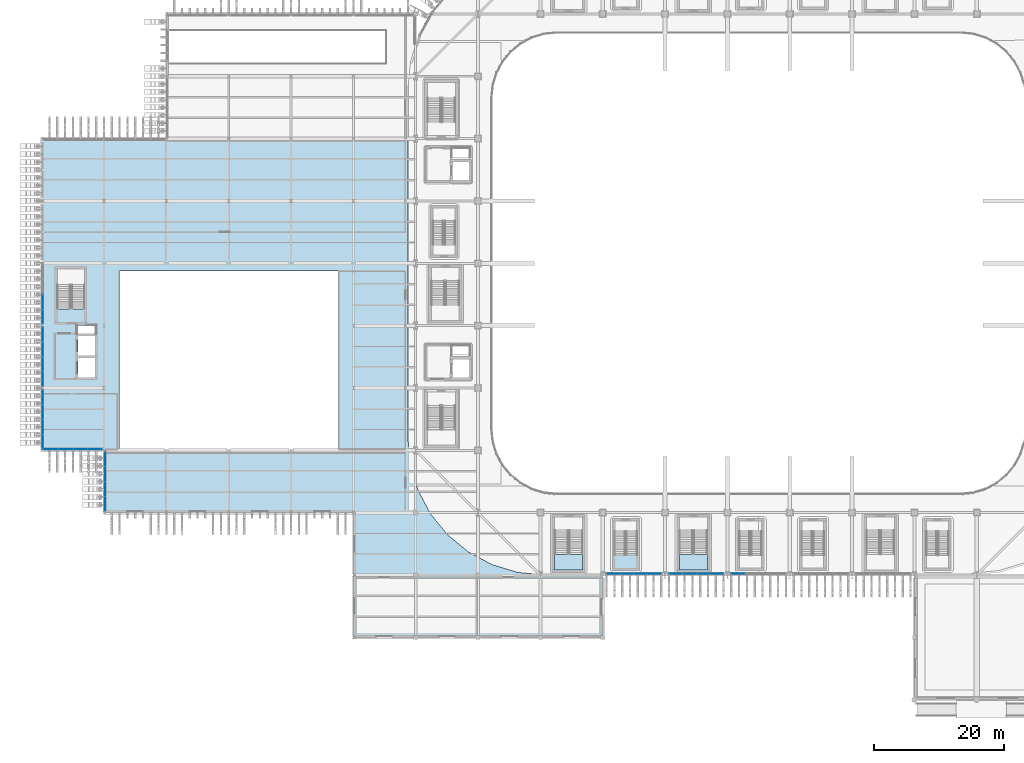
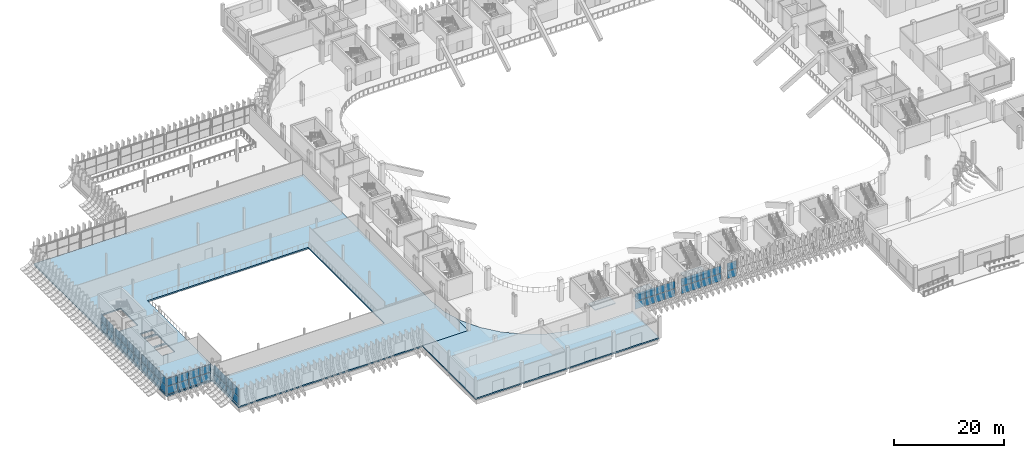
# One storey, part 40 of 100: 54 plates, 5 slabs, 11 elements without a shape of their own.
"""IFC4 building model written with IfcOpenShell, lengths in metres."""

import ifcopenshell
import ifcopenshell.guid

model = None  # the IFC model being written
_history = None  # IfcOwnerHistory: only IFC2X3 demands one
_inside = {}  # id of a spatial element -> (the spatial element, [elements in it])
_under = {}  # id of a project, library or spatial element -> (it, [spatial elements below it])
_declared = {}  # id of a project -> (the project, [libraries it declares])
_typed = {}  # id of a type object -> (the type object, [elements of that type])
_made_of = {}  # id of a material, layer set ... -> (it, [elements and type objects made of it])


def new_model(schema):
    """Start an empty IFC model of exactly this schema.

    Asked for "IFC4X3", IfcOpenShell would pick the latest addendum, in which some entities
    have other attributes; the version numbers below select the first issue.
    IFC2X3 requires an IfcOwnerHistory on every rooted entity: one is made here for all.
    """
    global model, _history
    if schema == "IFC4X3":
        model = ifcopenshell.file(schema_version=(4, 3, 0, 0))
    else:
        model = ifcopenshell.file(schema=schema)
    _inside.clear()
    _under.clear()
    _declared.clear()
    _typed.clear()
    _made_of.clear()
    _history = None
    if model.schema == "IFC2X3":
        org = make("IfcOrganization", Name="unknown")
        user = make(
            "IfcPersonAndOrganization",
            ThePerson=make("IfcPerson", FamilyName="unknown"),
            TheOrganization=org,
        )
        app = make(
            "IfcApplication",
            ApplicationDeveloper=org,
            Version="unknown",
            ApplicationFullName="unknown",
            ApplicationIdentifier="unknown",
        )
        _history = make(
            "IfcOwnerHistory",
            OwningUser=user,
            OwningApplication=app,
            ChangeAction="ADDED",
            CreationDate=0,
        )
    return model


def make(cls, **values):
    """One entity of the class cls with the attributes given. An attribute that is None is left unset."""
    return model.create_entity(
        cls, **{name: value for name, value in values.items() if value is not None}
    )


def rooted(cls, **values):
    """An entity with a GlobalId (a new one), such as an element, a storey or a relation."""
    return make(cls, GlobalId=ifcopenshell.guid.new(), OwnerHistory=_history, **values)


def si_unit(unit_type, name, prefix=None):
    """IfcSIUnit, for example si_unit("LENGTHUNIT", "METRE", prefix="MILLI")."""
    return make("IfcSIUnit", UnitType=unit_type, Prefix=prefix, Name=name)


def assignment(units):
    """IfcUnitAssignment: the units of a project."""
    return None if units is None else make("IfcUnitAssignment", Units=units)


def point(xyz):
    """IfcCartesianPoint."""
    return None if xyz is None else make("IfcCartesianPoint", Coordinates=xyz)


def direction(xyz):
    """IfcDirection."""
    return None if xyz is None else make("IfcDirection", DirectionRatios=xyz)


def frame(location, z_axis=None, x_axis=None):
    """IfcAxis2Placement3D, a coordinate frame: its origin and axes. An axis left out is left unset."""
    return make(
        "IfcAxis2Placement3D",
        Location=point(location),
        Axis=direction(z_axis),
        RefDirection=direction(x_axis),
    )


def frame_2d(location, x_axis=None):
    """IfcAxis2Placement2D, a coordinate frame in the plane: its origin and x axis."""
    return make(
        "IfcAxis2Placement2D", Location=point(location), RefDirection=direction(x_axis)
    )


def origin():
    """The frame at (0, 0, 0) with its axes left unset."""
    return frame((0.0, 0.0, 0.0))


def origin_2d():
    """The frame at (0, 0) in the plane with its x axis left unset."""
    return frame_2d((0.0, 0.0))


def place(relative_to, where):
    """IfcLocalPlacement: puts the frame where relative to a parent placement (None: the world)."""
    return make(
        "IfcLocalPlacement", PlacementRelTo=relative_to, RelativePlacement=where
    )


def context(
    kind, dimensions, precision=None, world=None, true_north=None, identifier=None
):
    """IfcGeometricRepresentationContext, for example the 3D "Model" context."""
    return make(
        "IfcGeometricRepresentationContext",
        ContextIdentifier=identifier,
        ContextType=kind,
        CoordinateSpaceDimension=dimensions,
        Precision=precision,
        WorldCoordinateSystem=world,
        TrueNorth=true_north,
    )


def subcontext(parent, identifier, kind, view, scale=None):
    """IfcGeometricRepresentationSubContext, for example "Body" below "Model"."""
    return make(
        "IfcGeometricRepresentationSubContext",
        ContextIdentifier=identifier,
        ContextType=kind,
        ParentContext=parent,
        TargetScale=scale,
        TargetView=view,
    )


def project(units=None, contexts=None):
    """IfcProject with its units and contexts."""
    return rooted(
        "IfcProject",
        Name="project",
        RepresentationContexts=contexts,
        UnitsInContext=assignment(units),
    )


def spatial(cls, under=None, at=None, **own):
    """A site, building, storey or space (cls), placed at a placement, below another one or the project."""
    s = rooted(cls, ObjectPlacement=at, **own)
    if under is not None:
        _under.setdefault(under.id(), (under, []))[1].append(s)
    return s


def polyline(points):
    """IfcPolyline through the points."""
    return make("IfcPolyline", Points=[point(p) for p in points])


def profile(cls, at=None, kind="AREA", **sizes):
    """A parametric profile (cls). Its sizes go by their IFC names, for example OverallWidth=200.0."""
    return make(cls, ProfileType=kind, Position=at, **sizes)


def rectangle(**sizes):
    """IfcRectangleProfileDef."""
    return profile("IfcRectangleProfileDef", **sizes)


def outline(outer, holes=None, kind="AREA"):
    """IfcArbitraryClosedProfileDef: a profile drawn as a closed curve; with holes, ...WithVoids."""
    if holes is None:
        return make("IfcArbitraryClosedProfileDef", ProfileType=kind, OuterCurve=outer)
    return make(
        "IfcArbitraryProfileDefWithVoids",
        ProfileType=kind,
        OuterCurve=outer,
        InnerCurves=holes,
    )


def extrude(swept, where, along, depth):
    """IfcExtrudedAreaSolid: the profile swept, set in the frame where, extruded along a direction by depth."""
    return make(
        "IfcExtrudedAreaSolid",
        SweptArea=swept,
        Position=where,
        ExtrudedDirection=direction(along),
        Depth=depth,
    )


def shape(context_of_items, identifier, shape_type, items):
    """IfcShapeRepresentation: the items that make up one representation, for example the "Body"."""
    return make(
        "IfcShapeRepresentation",
        ContextOfItems=context_of_items,
        RepresentationIdentifier=identifier,
        RepresentationType=shape_type,
        Items=items,
    )


def material(Name=None, Category=None):
    """IfcMaterial."""
    return make("IfcMaterial", Name=Name, Category=Category)


def layer(
    of_material, thickness, ventilated=None, Name=None, Category=None, Priority=None
):
    """IfcMaterialLayer: one layer of a wall or slab, of a material (None: an air gap)."""
    return make(
        "IfcMaterialLayer",
        Material=of_material,
        LayerThickness=thickness,
        IsVentilated=ventilated,
        Name=Name,
        Category=Category,
        Priority=Priority,
    )


def layer_set(layers, Name=None):
    """IfcMaterialLayerSet."""
    return make("IfcMaterialLayerSet", MaterialLayers=layers, LayerSetName=Name)


def made_of(thing, what):
    """Note that an element or type object is made of a material, layer set ...; save() writes the relation."""
    if what is not None:
        _made_of.setdefault(what.id(), (what, []))[1].append(thing)
    return thing


def type_object(cls, material=None, **own):
    """A type object (cls), such as IfcWallType, which elements share."""
    return made_of(rooted(cls, **own), material)


def element(
    cls,
    number,
    at=None,
    inside=None,
    cuts=None,
    type_object=None,
    material=None,
    context=None,
    identifier="Body",
    shape_type=None,
    held_by="IfcProductDefinitionShape",
    body=None,
    shapes=None,
    **own,
):
    """One element of the class cls, such as IfcWall. Its Tag is "e" and its number.

    at: its placement. inside: the storey or other place that contains it. cuts: it is an
    opening in that element (IfcRelVoidsElement). A single representation is given by context,
    identifier, shape_type and body (its items); several are given by shapes. held_by: the class
    of the entity that holds the representations. save() writes the other relations.
    """
    e = rooted(cls, Tag="e%d" % number, ObjectPlacement=at, **own)
    if body is not None:
        shapes = [shape(context, identifier, shape_type, body)]
    if shapes is not None:
        e.Representation = make(held_by, Representations=shapes)
    if inside is not None:
        _inside.setdefault(inside.id(), (inside, []))[1].append(e)
    if cuts is not None:
        rooted(
            "IfcRelVoidsElement", RelatingBuildingElement=cuts, RelatedOpeningElement=e
        )
    if type_object is not None:
        _typed.setdefault(type_object.id(), (type_object, []))[1].append(e)
    return made_of(e, material)


def aggregate(whole, parts):
    """IfcRelAggregates: a whole, such as a stair, and the parts it consists of."""
    return rooted("IfcRelAggregates", RelatingObject=whole, RelatedObjects=parts)


def save(model, path):
    """Write the relations noted so far, then the file.

    IfcRelAggregates (storeys below a building ...), IfcRelContainedInSpatialStructure (elements
    in a storey), IfcRelDefinesByType, IfcRelAssociatesMaterial and IfcRelDeclares: one each for
    every whole, place, type object, material and project.
    """
    for whole, parts in _under.values():
        aggregate(whole, parts)
    for where, things in _inside.values():
        rooted(
            "IfcRelContainedInSpatialStructure",
            RelatedElements=things,
            RelatingStructure=where,
        )
    for kind, things in _typed.values():
        rooted("IfcRelDefinesByType", RelatedObjects=things, RelatingType=kind)
    for what, things in _made_of.values():
        rooted("IfcRelAssociatesMaterial", RelatedObjects=things, RelatingMaterial=what)
    for by, libraries in _declared.values():
        rooted("IfcRelDeclares", RelatingContext=by, RelatedDefinitions=libraries)
    model.write(path)


model = new_model("IFC4")

# Units and contexts
model_context = context("Model", 3, precision=1e-05, world=origin(), true_north=direction((0.0, 1.0)))
body_context = subcontext(model_context, "Body", "Model", "MODEL_VIEW")
ifc_project = project(units=[si_unit("LENGTHUNIT", "METRE"), si_unit("AREAUNIT", "SQUARE_METRE"), si_unit("VOLUMEUNIT", "CUBIC_METRE"), si_unit("PLANEANGLEUNIT", "RADIAN"), si_unit("MASSUNIT", "GRAM", prefix="KILO")], contexts=[model_context])

# Site, building, storey
site_placement = place(None, origin())
site = spatial("IfcSite", under=ifc_project, at=site_placement, CompositionType="ELEMENT")
building_placement = place(site_placement, origin())
building = spatial("IfcBuilding", under=site, at=building_placement, Name="Caelomonte Colonnade Arena", CompositionType="ELEMENT")
storey_placement = place(building_placement, origin())
storey = spatial("IfcBuildingStorey", under=building, at=storey_placement, Name="L00", CompositionType="ELEMENT", Elevation=0.0)

# Curtain wall, plates
ifc_material_1 = material(Name="Bronze anodised aluminium and low-E glazing", Category="aluminium")
ifc_layer_1 = layer(ifc_material_1, 0.179931640625)
ifc_layer_set_1 = layer_set([ifc_layer_1], Name="Bronze anodised aluminium and low-E glazing")
curtain_wall_type_1 = type_object("IfcCurtainWallType", Name="ENV-CW-CW-L00-96-36", PredefinedType="USERDEFINED", material=ifc_layer_set_1)
curtain_wall_1_placement = place(storey_placement, origin())
curtain_wall_1 = element("IfcCurtainWall", 1, at=curtain_wall_1_placement, inside=storey, type_object=curtain_wall_type_1, Name="L00 unitized curtain wall CW-L00-0912-0194", ObjectType="UNITIZED CURTAIN WALL", PredefinedType="USERDEFINED")
ifc_material_2 = material(Name="Solar-control bronze low-E double glazing", Category="glass")
ifc_layer_2 = layer(ifc_material_2, 0.028076171875)
ifc_layer_set_2 = layer_set([ifc_layer_2], Name="Solar-control bronze low-E double glazing")
plate_type = type_object("IfcPlateType", Name="ENV-CW-PAN28", PredefinedType="CURTAIN_PANEL", material=ifc_layer_set_2)
plate_1_placement = place(storey_placement, frame((88.02294921875, 19.3798828125, 0.06982421875), z_axis=(0.0, 0.0, 1.0), x_axis=(1.0, 0.0, 0.0)))
plate_1 = element("IfcPlate", 2, at=plate_1_placement, type_object=plate_type, Name="CW-L00-96-36 panel 1.1", PredefinedType="CURTAIN_PANEL", context=body_context, shape_type="SweptSolid", body=[
    extrude(rectangle(XDim=2.024658203125, YDim=0.028076171875, at=origin_2d()), origin(), (0.0, 0.0, 1.0), 1.681396484375),
])
plate_2_placement = place(storey_placement, frame((88.02294921875, 19.3798828125, 1.82177734375), z_axis=(0.0, 0.0, 1.0), x_axis=(1.0, 0.0, 0.0)))
plate_2 = element("IfcPlate", 3, at=plate_2_placement, type_object=plate_type, Name="CW-L00-96-36 panel 1.2", PredefinedType="CURTAIN_PANEL", context=body_context, shape_type="SweptSolid", body=[
    extrude(rectangle(XDim=2.024658203125, YDim=0.028076171875, at=origin_2d()), origin(), (0.0, 0.0, 1.0), 1.681396484375),
])
plate_3_placement = place(storey_placement, frame((90.13525390625, 19.3798828125, 0.06982421875), z_axis=(0.0, 0.0, 1.0), x_axis=(1.0, 0.0, 0.0)))
plate_3 = element("IfcPlate", 4, at=plate_3_placement, type_object=plate_type, Name="CW-L00-96-36 panel 2.1", PredefinedType="CURTAIN_PANEL", context=body_context, shape_type="SweptSolid", body=[
    extrude(rectangle(XDim=2.0595703125, YDim=0.028076171875, at=origin_2d()), origin(), (0.0, 0.0, 1.0), 1.681396484375),
])
plate_4_placement = place(storey_placement, frame((90.13525390625, 19.3798828125, 1.82177734375), z_axis=(0.0, 0.0, 1.0), x_axis=(1.0, 0.0, 0.0)))
plate_4 = element("IfcPlate", 5, at=plate_4_placement, type_object=plate_type, Name="CW-L00-96-36 panel 2.2", PredefinedType="CURTAIN_PANEL", context=body_context, shape_type="SweptSolid", body=[
    extrude(rectangle(XDim=2.0595703125, YDim=0.028076171875, at=origin_2d()), origin(), (0.0, 0.0, 1.0), 1.681396484375),
])
plate_5_placement = place(storey_placement, frame((92.264892578125, 19.3798828125, 0.06982421875), z_axis=(0.0, 0.0, 1.0), x_axis=(1.0, 0.0, 0.0)))
plate_5 = element("IfcPlate", 6, at=plate_5_placement, type_object=plate_type, Name="CW-L00-96-36 panel 3.1", PredefinedType="CURTAIN_PANEL", context=body_context, shape_type="SweptSolid", body=[
    extrude(rectangle(XDim=2.0595703125, YDim=0.028076171875, at=origin_2d()), origin(), (0.0, 0.0, 1.0), 1.681396484375),
])
plate_6_placement = place(storey_placement, frame((92.264892578125, 19.3798828125, 1.82177734375), z_axis=(0.0, 0.0, 1.0), x_axis=(1.0, 0.0, 0.0)))
plate_6 = element("IfcPlate", 7, at=plate_6_placement, type_object=plate_type, Name="CW-L00-96-36 panel 3.2", PredefinedType="CURTAIN_PANEL", context=body_context, shape_type="SweptSolid", body=[
    extrude(rectangle(XDim=2.0595703125, YDim=0.028076171875, at=origin_2d()), origin(), (0.0, 0.0, 1.0), 1.681396484375),
])
plate_7_placement = place(storey_placement, frame((94.376953125, 19.3798828125, 0.06982421875), z_axis=(0.0, 0.0, 1.0), x_axis=(1.0, 0.0, 0.0)))
plate_7 = element("IfcPlate", 8, at=plate_7_placement, type_object=plate_type, Name="CW-L00-96-36 panel 4.1", PredefinedType="CURTAIN_PANEL", context=body_context, shape_type="SweptSolid", body=[
    extrude(rectangle(XDim=2.024658203125, YDim=0.028076171875, at=origin_2d()), origin(), (0.0, 0.0, 1.0), 1.681396484375),
])
plate_8_placement = place(storey_placement, frame((94.376953125, 19.3798828125, 1.82177734375), z_axis=(0.0, 0.0, 1.0), x_axis=(1.0, 0.0, 0.0)))
plate_8 = element("IfcPlate", 9, at=plate_8_placement, type_object=plate_type, Name="CW-L00-96-36 panel 4.2", PredefinedType="CURTAIN_PANEL", context=body_context, shape_type="SweptSolid", body=[
    extrude(rectangle(XDim=2.024658203125, YDim=0.028076171875, at=origin_2d()), origin(), (0.0, 0.0, 1.0), 1.681396484375),
])
aggregate(curtain_wall_1, [plate_1, plate_2, plate_3, plate_4, plate_5, plate_6, plate_7, plate_8])

curtain_wall_2_placement = place(storey_placement, origin())
curtain_wall_2 = element("IfcCurtainWall", 10, at=curtain_wall_2_placement, inside=storey, type_object=curtain_wall_type_1, Name="L00 unitized curtain wall CW-L00-1008-0194", ObjectType="UNITIZED CURTAIN WALL", PredefinedType="USERDEFINED")
plate_9_placement = place(storey_placement, frame((97.623046875, 19.3798828125, 0.06982421875), z_axis=(0.0, 0.0, 1.0), x_axis=(1.0, 0.0, 0.0)))
plate_9 = element("IfcPlate", 11, at=plate_9_placement, type_object=plate_type, Name="CW-L00-96-36 panel 1.1", PredefinedType="CURTAIN_PANEL", context=body_context, shape_type="SweptSolid", body=[
    extrude(rectangle(XDim=2.024658203125, YDim=0.028076171875, at=origin_2d()), origin(), (0.0, 0.0, 1.0), 1.681396484375),
])
plate_10_placement = place(storey_placement, frame((97.623046875, 19.3798828125, 1.82177734375), z_axis=(0.0, 0.0, 1.0), x_axis=(1.0, 0.0, 0.0)))
plate_10 = element("IfcPlate", 12, at=plate_10_placement, type_object=plate_type, Name="CW-L00-96-36 panel 1.2", PredefinedType="CURTAIN_PANEL", context=body_context, shape_type="SweptSolid", body=[
    extrude(rectangle(XDim=2.024658203125, YDim=0.028076171875, at=origin_2d()), origin(), (0.0, 0.0, 1.0), 1.681396484375),
])
plate_11_placement = place(storey_placement, frame((99.735107421875, 19.3798828125, 0.06982421875), z_axis=(0.0, 0.0, 1.0), x_axis=(1.0, 0.0, 0.0)))
plate_11 = element("IfcPlate", 13, at=plate_11_placement, type_object=plate_type, Name="CW-L00-96-36 panel 2.1", PredefinedType="CURTAIN_PANEL", context=body_context, shape_type="SweptSolid", body=[
    extrude(rectangle(XDim=2.0595703125, YDim=0.028076171875, at=origin_2d()), origin(), (0.0, 0.0, 1.0), 1.681396484375),
])
plate_12_placement = place(storey_placement, frame((99.735107421875, 19.3798828125, 1.82177734375), z_axis=(0.0, 0.0, 1.0), x_axis=(1.0, 0.0, 0.0)))
plate_12 = element("IfcPlate", 14, at=plate_12_placement, type_object=plate_type, Name="CW-L00-96-36 panel 2.2", PredefinedType="CURTAIN_PANEL", context=body_context, shape_type="SweptSolid", body=[
    extrude(rectangle(XDim=2.0595703125, YDim=0.028076171875, at=origin_2d()), origin(), (0.0, 0.0, 1.0), 1.681396484375),
])
plate_13_placement = place(storey_placement, frame((101.86474609375, 19.3798828125, 0.06982421875), z_axis=(0.0, 0.0, 1.0), x_axis=(1.0, 0.0, 0.0)))
plate_13 = element("IfcPlate", 15, at=plate_13_placement, type_object=plate_type, Name="CW-L00-96-36 panel 3.1", PredefinedType="CURTAIN_PANEL", context=body_context, shape_type="SweptSolid", body=[
    extrude(rectangle(XDim=2.0595703125, YDim=0.028076171875, at=origin_2d()), origin(), (0.0, 0.0, 1.0), 1.681396484375),
])
plate_14_placement = place(storey_placement, frame((101.86474609375, 19.3798828125, 1.82177734375), z_axis=(0.0, 0.0, 1.0), x_axis=(1.0, 0.0, 0.0)))
plate_14 = element("IfcPlate", 16, at=plate_14_placement, type_object=plate_type, Name="CW-L00-96-36 panel 3.2", PredefinedType="CURTAIN_PANEL", context=body_context, shape_type="SweptSolid", body=[
    extrude(rectangle(XDim=2.0595703125, YDim=0.028076171875, at=origin_2d()), origin(), (0.0, 0.0, 1.0), 1.681396484375),
])
plate_15_placement = place(storey_placement, frame((103.97705078125, 19.3798828125, 0.06982421875), z_axis=(0.0, 0.0, 1.0), x_axis=(1.0, 0.0, 0.0)))
plate_15 = element("IfcPlate", 17, at=plate_15_placement, type_object=plate_type, Name="CW-L00-96-36 panel 4.1", PredefinedType="CURTAIN_PANEL", context=body_context, shape_type="SweptSolid", body=[
    extrude(rectangle(XDim=2.024658203125, YDim=0.028076171875, at=origin_2d()), origin(), (0.0, 0.0, 1.0), 1.681396484375),
])
plate_16_placement = place(storey_placement, frame((103.97705078125, 19.3798828125, 1.82177734375), z_axis=(0.0, 0.0, 1.0), x_axis=(1.0, 0.0, 0.0)))
plate_16 = element("IfcPlate", 18, at=plate_16_placement, type_object=plate_type, Name="CW-L00-96-36 panel 4.2", PredefinedType="CURTAIN_PANEL", context=body_context, shape_type="SweptSolid", body=[
    extrude(rectangle(XDim=2.024658203125, YDim=0.028076171875, at=origin_2d()), origin(), (0.0, 0.0, 1.0), 1.681396484375),
])
aggregate(curtain_wall_2, [plate_9, plate_10, plate_11, plate_12, plate_13, plate_14, plate_15, plate_16])

curtain_wall_3_placement = place(storey_placement, origin())
curtain_wall_3 = element("IfcCurtainWall", 19, at=curtain_wall_3_placement, inside=storey, type_object=curtain_wall_type_1, Name="L00 unitized curtain wall CW-L00-1104-0194", ObjectType="UNITIZED CURTAIN WALL", PredefinedType="USERDEFINED")
plate_17_placement = place(storey_placement, frame((107.22314453125, 19.3798828125, 0.06982421875), z_axis=(0.0, 0.0, 1.0), x_axis=(1.0, 0.0, 0.0)))
plate_17 = element("IfcPlate", 20, at=plate_17_placement, type_object=plate_type, Name="CW-L00-96-36 panel 1.1", PredefinedType="CURTAIN_PANEL", context=body_context, shape_type="SweptSolid", body=[
    extrude(rectangle(XDim=2.024658203125, YDim=0.028076171875, at=origin_2d()), origin(), (0.0, 0.0, 1.0), 1.681396484375),
])
plate_18_placement = place(storey_placement, frame((107.22314453125, 19.3798828125, 1.82177734375), z_axis=(0.0, 0.0, 1.0), x_axis=(1.0, 0.0, 0.0)))
plate_18 = element("IfcPlate", 21, at=plate_18_placement, type_object=plate_type, Name="CW-L00-96-36 panel 1.2", PredefinedType="CURTAIN_PANEL", context=body_context, shape_type="SweptSolid", body=[
    extrude(rectangle(XDim=2.024658203125, YDim=0.028076171875, at=origin_2d()), origin(), (0.0, 0.0, 1.0), 1.681396484375),
])
aggregate(curtain_wall_3, [plate_17, plate_18])

curtain_wall_4_placement = place(storey_placement, origin())
curtain_wall_4 = element("IfcCurtainWall", 22, at=curtain_wall_4_placement, inside=storey, type_object=curtain_wall_type_1, Name="L00 unitized curtain wall CW-L00-0002-0624", ObjectType="UNITIZED CURTAIN WALL", PredefinedType="USERDEFINED")
plate_19_placement = place(storey_placement, frame((0.179931640625, 61.26318359375, 0.06494140625), z_axis=(0.0, 0.0, 1.0), x_axis=(0.0, -1.0, 0.0)))
plate_19 = element("IfcPlate", 23, at=plate_19_placement, type_object=plate_type, Name="CW-L00-96-36 panel 3.1", PredefinedType="CURTAIN_PANEL", context=body_context, shape_type="SweptSolid", body=[
    extrude(rectangle(XDim=2.24072265625, YDim=0.028076171875, at=origin_2d()), origin(), (0.0, 0.0, 1.0), 1.68896484375),
])
plate_20_placement = place(storey_placement, frame((0.179931640625, 61.26318359375, 1.819091796875), z_axis=(0.0, 0.0, 1.0), x_axis=(0.0, -1.0, 0.0)))
plate_20 = element("IfcPlate", 24, at=plate_20_placement, type_object=plate_type, Name="CW-L00-96-36 panel 3.2", PredefinedType="CURTAIN_PANEL", context=body_context, shape_type="SweptSolid", body=[
    extrude(rectangle(XDim=2.24072265625, YDim=0.028076171875, at=origin_2d()), origin(), (0.0, 0.0, 1.0), 1.68896484375),
])
plate_21_placement = place(storey_placement, frame((0.179931640625, 58.9736328125, 0.06494140625), z_axis=(0.0, 0.0, 1.0), x_axis=(0.0, -1.0, 0.0)))
plate_21 = element("IfcPlate", 25, at=plate_21_placement, type_object=plate_type, Name="CW-L00-96-36 panel 4.1", PredefinedType="CURTAIN_PANEL", context=body_context, shape_type="SweptSolid", body=[
    extrude(rectangle(XDim=2.208251953125, YDim=0.028076171875, at=origin_2d()), origin(), (0.0, 0.0, 1.0), 1.68896484375),
])
plate_22_placement = place(storey_placement, frame((0.179931640625, 58.9736328125, 1.819091796875), z_axis=(0.0, 0.0, 1.0), x_axis=(0.0, -1.0, 0.0)))
plate_22 = element("IfcPlate", 26, at=plate_22_placement, type_object=plate_type, Name="CW-L00-96-36 panel 4.2", PredefinedType="CURTAIN_PANEL", context=body_context, shape_type="SweptSolid", body=[
    extrude(rectangle(XDim=2.208251953125, YDim=0.028076171875, at=origin_2d()), origin(), (0.0, 0.0, 1.0), 1.68896484375),
])
aggregate(curtain_wall_4, [plate_19, plate_20, plate_21, plate_22])

curtain_wall_5_placement = place(storey_placement, origin())
curtain_wall_5 = element("IfcCurtainWall", 27, at=curtain_wall_5_placement, inside=storey, type_object=curtain_wall_type_1, Name="L00 unitized curtain wall CW-L00-0002-0528", ObjectType="UNITIZED CURTAIN WALL", PredefinedType="USERDEFINED")
plate_23_placement = place(storey_placement, frame((0.179931640625, 56.23046875, 0.06494140625), z_axis=(0.0, 0.0, 1.0), x_axis=(0.0, -1.0, 0.0)))
plate_23 = element("IfcPlate", 28, at=plate_23_placement, type_object=plate_type, Name="CW-L00-96-36 panel 1.1", PredefinedType="CURTAIN_PANEL", context=body_context, shape_type="SweptSolid", body=[
    extrude(rectangle(XDim=2.2001953125, YDim=0.028076171875, at=origin_2d()), origin(), (0.0, 0.0, 1.0), 1.68896484375),
])
plate_24_placement = place(storey_placement, frame((0.179931640625, 56.23046875, 1.819091796875), z_axis=(0.0, 0.0, 1.0), x_axis=(0.0, -1.0, 0.0)))
plate_24 = element("IfcPlate", 29, at=plate_24_placement, type_object=plate_type, Name="CW-L00-96-36 panel 1.2", PredefinedType="CURTAIN_PANEL", context=body_context, shape_type="SweptSolid", body=[
    extrude(rectangle(XDim=2.2001953125, YDim=0.028076171875, at=origin_2d()), origin(), (0.0, 0.0, 1.0), 1.68896484375),
])
plate_25_placement = place(storey_placement, frame((0.179931640625, 53.948974609375, 0.06494140625), z_axis=(0.0, 0.0, 1.0), x_axis=(0.0, -1.0, 0.0)))
plate_25 = element("IfcPlate", 30, at=plate_25_placement, type_object=plate_type, Name="CW-L00-96-36 panel 2.1", PredefinedType="CURTAIN_PANEL", context=body_context, shape_type="SweptSolid", body=[
    extrude(rectangle(XDim=2.23291015625, YDim=0.028076171875, at=origin_2d()), origin(), (0.0, 0.0, 1.0), 1.68896484375),
])
plate_26_placement = place(storey_placement, frame((0.179931640625, 53.948974609375, 1.819091796875), z_axis=(0.0, 0.0, 1.0), x_axis=(0.0, -1.0, 0.0)))
plate_26 = element("IfcPlate", 31, at=plate_26_placement, type_object=plate_type, Name="CW-L00-96-36 panel 2.2", PredefinedType="CURTAIN_PANEL", context=body_context, shape_type="SweptSolid", body=[
    extrude(rectangle(XDim=2.23291015625, YDim=0.028076171875, at=origin_2d()), origin(), (0.0, 0.0, 1.0), 1.68896484375),
])
plate_27_placement = place(storey_placement, frame((0.179931640625, 51.651123046875, 0.06494140625), z_axis=(0.0, 0.0, 1.0), x_axis=(0.0, -1.0, 0.0)))
plate_27 = element("IfcPlate", 32, at=plate_27_placement, type_object=plate_type, Name="CW-L00-96-36 panel 3.1", PredefinedType="CURTAIN_PANEL", context=body_context, shape_type="SweptSolid", body=[
    extrude(rectangle(XDim=2.23291015625, YDim=0.028076171875, at=origin_2d()), origin(), (0.0, 0.0, 1.0), 1.68896484375),
])
plate_28_placement = place(storey_placement, frame((0.179931640625, 51.651123046875, 1.819091796875), z_axis=(0.0, 0.0, 1.0), x_axis=(0.0, -1.0, 0.0)))
plate_28 = element("IfcPlate", 33, at=plate_28_placement, type_object=plate_type, Name="CW-L00-96-36 panel 3.2", PredefinedType="CURTAIN_PANEL", context=body_context, shape_type="SweptSolid", body=[
    extrude(rectangle(XDim=2.23291015625, YDim=0.028076171875, at=origin_2d()), origin(), (0.0, 0.0, 1.0), 1.68896484375),
])
plate_29_placement = place(storey_placement, frame((0.179931640625, 49.36962890625, 0.06494140625), z_axis=(0.0, 0.0, 1.0), x_axis=(0.0, -1.0, 0.0)))
plate_29 = element("IfcPlate", 34, at=plate_29_placement, type_object=plate_type, Name="CW-L00-96-36 panel 4.1", PredefinedType="CURTAIN_PANEL", context=body_context, shape_type="SweptSolid", body=[
    extrude(rectangle(XDim=2.2001953125, YDim=0.028076171875, at=origin_2d()), origin(), (0.0, 0.0, 1.0), 1.68896484375),
])
plate_30_placement = place(storey_placement, frame((0.179931640625, 49.36962890625, 1.819091796875), z_axis=(0.0, 0.0, 1.0), x_axis=(0.0, -1.0, 0.0)))
plate_30 = element("IfcPlate", 35, at=plate_30_placement, type_object=plate_type, Name="CW-L00-96-36 panel 4.2", PredefinedType="CURTAIN_PANEL", context=body_context, shape_type="SweptSolid", body=[
    extrude(rectangle(XDim=2.2001953125, YDim=0.028076171875, at=origin_2d()), origin(), (0.0, 0.0, 1.0), 1.68896484375),
])
aggregate(curtain_wall_5, [plate_23, plate_24, plate_25, plate_26, plate_27, plate_28, plate_29, plate_30])

curtain_wall_6_placement = place(storey_placement, origin())
curtain_wall_6 = element("IfcCurtainWall", 36, at=curtain_wall_6_placement, inside=storey, type_object=curtain_wall_type_1, Name="L00 unitized curtain wall CW-L00-0002-0432", ObjectType="UNITIZED CURTAIN WALL", PredefinedType="USERDEFINED")
plate_31_placement = place(storey_placement, frame((0.179931640625, 46.62646484375, 0.06494140625), z_axis=(0.0, 0.0, 1.0), x_axis=(0.0, -1.0, 0.0)))
plate_31 = element("IfcPlate", 37, at=plate_31_placement, type_object=plate_type, Name="CW-L00-96-36 panel 1.1", PredefinedType="CURTAIN_PANEL", context=body_context, shape_type="SweptSolid", body=[
    extrude(rectangle(XDim=2.208251953125, YDim=0.028076171875, at=origin_2d()), origin(), (0.0, 0.0, 1.0), 1.68896484375),
])
plate_32_placement = place(storey_placement, frame((0.179931640625, 46.62646484375, 1.819091796875), z_axis=(0.0, 0.0, 1.0), x_axis=(0.0, -1.0, 0.0)))
plate_32 = element("IfcPlate", 38, at=plate_32_placement, type_object=plate_type, Name="CW-L00-96-36 panel 1.2", PredefinedType="CURTAIN_PANEL", context=body_context, shape_type="SweptSolid", body=[
    extrude(rectangle(XDim=2.208251953125, YDim=0.028076171875, at=origin_2d()), origin(), (0.0, 0.0, 1.0), 1.68896484375),
])
plate_33_placement = place(storey_placement, frame((0.179931640625, 44.3369140625, 0.06494140625), z_axis=(0.0, 0.0, 1.0), x_axis=(0.0, -1.0, 0.0)))
plate_33 = element("IfcPlate", 39, at=plate_33_placement, type_object=plate_type, Name="CW-L00-96-36 panel 2.1", PredefinedType="CURTAIN_PANEL", context=body_context, shape_type="SweptSolid", body=[
    extrude(rectangle(XDim=2.24072265625, YDim=0.028076171875, at=origin_2d()), origin(), (0.0, 0.0, 1.0), 1.68896484375),
])
plate_34_placement = place(storey_placement, frame((0.179931640625, 44.3369140625, 1.819091796875), z_axis=(0.0, 0.0, 1.0), x_axis=(0.0, -1.0, 0.0)))
plate_34 = element("IfcPlate", 40, at=plate_34_placement, type_object=plate_type, Name="CW-L00-96-36 panel 2.2", PredefinedType="CURTAIN_PANEL", context=body_context, shape_type="SweptSolid", body=[
    extrude(rectangle(XDim=2.24072265625, YDim=0.028076171875, at=origin_2d()), origin(), (0.0, 0.0, 1.0), 1.68896484375),
])
plate_35_placement = place(storey_placement, frame((0.179931640625, 42.031005859375, 0.06494140625), z_axis=(0.0, 0.0, 1.0), x_axis=(0.0, -1.0, 0.0)))
plate_35 = element("IfcPlate", 41, at=plate_35_placement, type_object=plate_type, Name="CW-L00-96-36 panel 3.1", PredefinedType="CURTAIN_PANEL", context=body_context, shape_type="SweptSolid", body=[
    extrude(rectangle(XDim=2.24072265625, YDim=0.028076171875, at=origin_2d()), origin(), (0.0, 0.0, 1.0), 1.68896484375),
])
plate_36_placement = place(storey_placement, frame((0.179931640625, 42.031005859375, 1.819091796875), z_axis=(0.0, 0.0, 1.0), x_axis=(0.0, -1.0, 0.0)))
plate_36 = element("IfcPlate", 42, at=plate_36_placement, type_object=plate_type, Name="CW-L00-96-36 panel 3.2", PredefinedType="CURTAIN_PANEL", context=body_context, shape_type="SweptSolid", body=[
    extrude(rectangle(XDim=2.24072265625, YDim=0.028076171875, at=origin_2d()), origin(), (0.0, 0.0, 1.0), 1.68896484375),
])
plate_37_placement = place(storey_placement, frame((0.179931640625, 39.741455078125, 0.06494140625), z_axis=(0.0, 0.0, 1.0), x_axis=(0.0, -1.0, 0.0)))
plate_37 = element("IfcPlate", 43, at=plate_37_placement, type_object=plate_type, Name="CW-L00-96-36 panel 4.1", PredefinedType="CURTAIN_PANEL", context=body_context, shape_type="SweptSolid", body=[
    extrude(rectangle(XDim=2.208251953125, YDim=0.028076171875, at=origin_2d()), origin(), (0.0, 0.0, 1.0), 1.68896484375),
])
plate_38_placement = place(storey_placement, frame((0.179931640625, 39.741455078125, 1.819091796875), z_axis=(0.0, 0.0, 1.0), x_axis=(0.0, -1.0, 0.0)))
plate_38 = element("IfcPlate", 44, at=plate_38_placement, type_object=plate_type, Name="CW-L00-96-36 panel 4.2", PredefinedType="CURTAIN_PANEL", context=body_context, shape_type="SweptSolid", body=[
    extrude(rectangle(XDim=2.208251953125, YDim=0.028076171875, at=origin_2d()), origin(), (0.0, 0.0, 1.0), 1.68896484375),
])
aggregate(curtain_wall_6, [plate_31, plate_32, plate_33, plate_34, plate_35, plate_36, plate_37, plate_38])

curtain_wall_7_placement = place(storey_placement, origin())
curtain_wall_7 = element("IfcCurtainWall", 45, at=curtain_wall_7_placement, inside=storey, type_object=curtain_wall_type_1, Name="L00 unitized curtain wall CW-L00-0048-0386", ObjectType="UNITIZED CURTAIN WALL", PredefinedType="USERDEFINED")
plate_39_placement = place(storey_placement, frame((1.345458984375, 38.580078125, 0.06494140625), z_axis=(0.0, 0.0, 1.0), x_axis=(1.0, 0.0, 0.0)))
plate_39 = element("IfcPlate", 46, at=plate_39_placement, type_object=plate_type, Name="CW-L00-96-36 panel 1.1", PredefinedType="CURTAIN_PANEL", context=body_context, shape_type="SweptSolid", body=[
    extrude(rectangle(XDim=2.21630859375, YDim=0.028076171875, at=origin_2d()), origin(), (0.0, 0.0, 1.0), 1.68896484375),
])
plate_40_placement = place(storey_placement, frame((1.345458984375, 38.580078125, 1.819091796875), z_axis=(0.0, 0.0, 1.0), x_axis=(1.0, 0.0, 0.0)))
plate_40 = element("IfcPlate", 47, at=plate_40_placement, type_object=plate_type, Name="CW-L00-96-36 panel 1.2", PredefinedType="CURTAIN_PANEL", context=body_context, shape_type="SweptSolid", body=[
    extrude(rectangle(XDim=2.21630859375, YDim=0.028076171875, at=origin_2d()), origin(), (0.0, 0.0, 1.0), 1.68896484375),
])
plate_41_placement = place(storey_placement, frame((3.64306640625, 38.580078125, 0.06494140625), z_axis=(0.0, 0.0, 1.0), x_axis=(1.0, 0.0, 0.0)))
plate_41 = element("IfcPlate", 48, at=plate_41_placement, type_object=plate_type, Name="CW-L00-96-36 panel 2.1", PredefinedType="CURTAIN_PANEL", context=body_context, shape_type="SweptSolid", body=[
    extrude(rectangle(XDim=2.248779296875, YDim=0.028076171875, at=origin_2d()), origin(), (0.0, 0.0, 1.0), 1.68896484375),
])
plate_42_placement = place(storey_placement, frame((3.64306640625, 38.580078125, 1.819091796875), z_axis=(0.0, 0.0, 1.0), x_axis=(1.0, 0.0, 0.0)))
plate_42 = element("IfcPlate", 49, at=plate_42_placement, type_object=plate_type, Name="CW-L00-96-36 panel 2.2", PredefinedType="CURTAIN_PANEL", context=body_context, shape_type="SweptSolid", body=[
    extrude(rectangle(XDim=2.248779296875, YDim=0.028076171875, at=origin_2d()), origin(), (0.0, 0.0, 1.0), 1.68896484375),
])
plate_43_placement = place(storey_placement, frame((5.956787109375, 38.580078125, 0.06494140625), z_axis=(0.0, 0.0, 1.0), x_axis=(1.0, 0.0, 0.0)))
plate_43 = element("IfcPlate", 50, at=plate_43_placement, type_object=plate_type, Name="CW-L00-96-36 panel 3.1", PredefinedType="CURTAIN_PANEL", context=body_context, shape_type="SweptSolid", body=[
    extrude(rectangle(XDim=2.248779296875, YDim=0.028076171875, at=origin_2d()), origin(), (0.0, 0.0, 1.0), 1.68896484375),
])
plate_44_placement = place(storey_placement, frame((5.956787109375, 38.580078125, 1.819091796875), z_axis=(0.0, 0.0, 1.0), x_axis=(1.0, 0.0, 0.0)))
plate_44 = element("IfcPlate", 51, at=plate_44_placement, type_object=plate_type, Name="CW-L00-96-36 panel 3.2", PredefinedType="CURTAIN_PANEL", context=body_context, shape_type="SweptSolid", body=[
    extrude(rectangle(XDim=2.248779296875, YDim=0.028076171875, at=origin_2d()), origin(), (0.0, 0.0, 1.0), 1.68896484375),
])
plate_45_placement = place(storey_placement, frame((8.25439453125, 38.580078125, 0.06494140625), z_axis=(0.0, 0.0, 1.0), x_axis=(1.0, 0.0, 0.0)))
plate_45 = element("IfcPlate", 52, at=plate_45_placement, type_object=plate_type, Name="CW-L00-96-36 panel 4.1", PredefinedType="CURTAIN_PANEL", context=body_context, shape_type="SweptSolid", body=[
    extrude(rectangle(XDim=2.21630859375, YDim=0.028076171875, at=origin_2d()), origin(), (0.0, 0.0, 1.0), 1.68896484375),
])
plate_46_placement = place(storey_placement, frame((8.25439453125, 38.580078125, 1.819091796875), z_axis=(0.0, 0.0, 1.0), x_axis=(1.0, 0.0, 0.0)))
plate_46 = element("IfcPlate", 53, at=plate_46_placement, type_object=plate_type, Name="CW-L00-96-36 panel 4.2", PredefinedType="CURTAIN_PANEL", context=body_context, shape_type="SweptSolid", body=[
    extrude(rectangle(XDim=2.21630859375, YDim=0.028076171875, at=origin_2d()), origin(), (0.0, 0.0, 1.0), 1.68896484375),
])
aggregate(curtain_wall_7, [plate_39, plate_40, plate_41, plate_42, plate_43, plate_44, plate_45, plate_46])

ifc_layer_3 = layer(ifc_material_1, 0.179931640625)
ifc_layer_set_3 = layer_set([ifc_layer_3], Name="Bronze anodised aluminium and low-E glazing")
curtain_wall_type_2 = type_object("IfcCurtainWallType", Name="ENV-CW-CW-L00-96-37", PredefinedType="USERDEFINED", material=ifc_layer_set_3)
curtain_wall_8_placement = place(storey_placement, origin())
curtain_wall_8 = element("IfcCurtainWall", 54, at=curtain_wall_8_placement, inside=storey, type_object=curtain_wall_type_2, Name="L00 unitized curtain wall CW-L00-0098-0336", ObjectType="UNITIZED CURTAIN WALL", PredefinedType="USERDEFINED")
plate_47_placement = place(storey_placement, frame((9.780029296875, 37.058349609375, 0.06494140625), z_axis=(0.0, 0.0, 1.0), x_axis=(0.0, -1.0, 0.0)))
plate_47 = element("IfcPlate", 55, at=plate_47_placement, type_object=plate_type, Name="CW-L00-96-37 panel 1.1", PredefinedType="CURTAIN_PANEL", context=body_context, shape_type="SweptSolid", body=[
    extrude(rectangle(XDim=2.208251953125, YDim=0.028076171875, at=origin_2d()), origin(), (0.0, 0.0, 1.0), 1.734619140625),
])
plate_48_placement = place(storey_placement, frame((9.780029296875, 37.058349609375, 1.86474609375), z_axis=(0.0, 0.0, 1.0), x_axis=(0.0, -1.0, 0.0)))
plate_48 = element("IfcPlate", 56, at=plate_48_placement, type_object=plate_type, Name="CW-L00-96-37 panel 1.2", PredefinedType="CURTAIN_PANEL", context=body_context, shape_type="SweptSolid", body=[
    extrude(rectangle(XDim=2.208251953125, YDim=0.028076171875, at=origin_2d()), origin(), (0.0, 0.0, 1.0), 1.734619140625),
])
plate_49_placement = place(storey_placement, frame((9.780029296875, 34.768798828125, 0.06494140625), z_axis=(0.0, 0.0, 1.0), x_axis=(0.0, -1.0, 0.0)))
plate_49 = element("IfcPlate", 57, at=plate_49_placement, type_object=plate_type, Name="CW-L00-96-37 panel 2.1", PredefinedType="CURTAIN_PANEL", context=body_context, shape_type="SweptSolid", body=[
    extrude(rectangle(XDim=2.24072265625, YDim=0.028076171875, at=origin_2d()), origin(), (0.0, 0.0, 1.0), 1.734619140625),
])
plate_50_placement = place(storey_placement, frame((9.780029296875, 34.768798828125, 1.86474609375), z_axis=(0.0, 0.0, 1.0), x_axis=(0.0, -1.0, 0.0)))
plate_50 = element("IfcPlate", 58, at=plate_50_placement, type_object=plate_type, Name="CW-L00-96-37 panel 2.2", PredefinedType="CURTAIN_PANEL", context=body_context, shape_type="SweptSolid", body=[
    extrude(rectangle(XDim=2.24072265625, YDim=0.028076171875, at=origin_2d()), origin(), (0.0, 0.0, 1.0), 1.734619140625),
])
plate_51_placement = place(storey_placement, frame((9.780029296875, 32.463134765625, 0.06494140625), z_axis=(0.0, 0.0, 1.0), x_axis=(0.0, -1.0, 0.0)))
plate_51 = element("IfcPlate", 59, at=plate_51_placement, type_object=plate_type, Name="CW-L00-96-37 panel 3.1", PredefinedType="CURTAIN_PANEL", context=body_context, shape_type="SweptSolid", body=[
    extrude(rectangle(XDim=2.24072265625, YDim=0.028076171875, at=origin_2d()), origin(), (0.0, 0.0, 1.0), 1.734619140625),
])
plate_52_placement = place(storey_placement, frame((9.780029296875, 32.463134765625, 1.86474609375), z_axis=(0.0, 0.0, 1.0), x_axis=(0.0, -1.0, 0.0)))
plate_52 = element("IfcPlate", 60, at=plate_52_placement, type_object=plate_type, Name="CW-L00-96-37 panel 3.2", PredefinedType="CURTAIN_PANEL", context=body_context, shape_type="SweptSolid", body=[
    extrude(rectangle(XDim=2.24072265625, YDim=0.028076171875, at=origin_2d()), origin(), (0.0, 0.0, 1.0), 1.734619140625),
])
plate_53_placement = place(storey_placement, frame((9.780029296875, 30.173583984375, 0.06494140625), z_axis=(0.0, 0.0, 1.0), x_axis=(0.0, -1.0, 0.0)))
plate_53 = element("IfcPlate", 61, at=plate_53_placement, type_object=plate_type, Name="CW-L00-96-37 panel 4.1", PredefinedType="CURTAIN_PANEL", context=body_context, shape_type="SweptSolid", body=[
    extrude(rectangle(XDim=2.208251953125, YDim=0.028076171875, at=origin_2d()), origin(), (0.0, 0.0, 1.0), 1.734619140625),
])
plate_54_placement = place(storey_placement, frame((9.780029296875, 30.173583984375, 1.86474609375), z_axis=(0.0, 0.0, 1.0), x_axis=(0.0, -1.0, 0.0)))
plate_54 = element("IfcPlate", 62, at=plate_54_placement, type_object=plate_type, Name="CW-L00-96-37 panel 4.2", PredefinedType="CURTAIN_PANEL", context=body_context, shape_type="SweptSolid", body=[
    extrude(rectangle(XDim=2.208251953125, YDim=0.028076171875, at=origin_2d()), origin(), (0.0, 0.0, 1.0), 1.734619140625),
])
aggregate(curtain_wall_8, [plate_47, plate_48, plate_49, plate_50, plate_51, plate_52, plate_53, plate_54])

# Stair, slab
ifc_material_3 = material(Name="Concrete C40/50", Category="concrete")
stair_type_1 = type_object("IfcStairType", Name="INT-ST-CORE48", PredefinedType="HALF_TURN_STAIR", material=ifc_material_3)
stair_1_placement = place(storey_placement, origin())
stair_1 = element("IfcStair", 63, at=stair_1_placement, inside=storey, type_object=stair_type_1, Name="L00 Protected exit stair ST-11", PredefinedType="HALF_TURN_STAIR")
ifc_layer_4 = layer(ifc_material_3, 0.199951171875)
ifc_layer_set_4 = layer_set([ifc_layer_4], Name="Concrete C40/50")
slab_type_1 = type_object("IfcSlabType", Name="INT-SL-LAND20", PredefinedType="LANDING", material=ifc_layer_set_4)
slab_1_placement = place(storey_placement, frame((0.0, 0.0, 2.199951171875)))
slab_1 = element("IfcSlab", 64, at=slab_1_placement, type_object=slab_type_1, Name="ST-11 landing 1", PredefinedType="LANDING", context=body_context, shape_type="SweptSolid", body=[
    extrude(outline(polyline([(79.0, 22.39501953125), (79.0, 20.0), (83.300048828125, 20.0), (83.300048828125, 22.39501953125), (79.0, 22.39501953125)])), origin(), (0.0, 0.0, 1.0), 0.199951171875),
])
aggregate(stair_1, [slab_1])

stair_2_placement = place(storey_placement, origin())
stair_2 = element("IfcStair", 65, at=stair_2_placement, inside=storey, type_object=stair_type_1, Name="L00 Protected exit stair ST-12", PredefinedType="HALF_TURN_STAIR")
slab_2_placement = place(storey_placement, frame((0.0, 0.0, 2.199951171875)))
slab_2 = element("IfcSlab", 66, at=slab_2_placement, type_object=slab_type_1, Name="ST-12 landing 1", PredefinedType="LANDING", context=body_context, shape_type="SweptSolid", body=[
    extrude(outline(polyline([(98.199951171875, 22.39501953125), (98.199951171875, 20.0), (102.5, 20.0), (102.5, 22.39501953125), (98.199951171875, 22.39501953125)])), origin(), (0.0, 0.0, 1.0), 0.199951171875),
])
aggregate(stair_2, [slab_2])

ifc_material_4 = material(Name="Precast concrete C40/50", Category="concrete")
stair_type_2 = type_object("IfcStairType", Name="INT-ST-VOML", PredefinedType="HALF_TURN_STAIR", material=ifc_material_4)
stair_3_placement = place(storey_placement, origin())
stair_3 = element("IfcStair", 67, at=stair_3_placement, inside=storey, type_object=stair_type_2, Name="L00 Vomitory VOM-01 aisle stair ST-V01", PredefinedType="HALF_TURN_STAIR")
slab_3_placement = place(storey_placement, frame((0.0, 0.0, 2.199951171875)))
slab_3 = element("IfcSlab", 68, at=slab_3_placement, type_object=slab_type_1, Name="ST-V01 landing 1", PredefinedType="LANDING", context=body_context, shape_type="SweptSolid", body=[
    extrude(outline(polyline([(88.199951171875, 22.2451171875), (88.199951171875, 20.199951171875), (91.699951171875, 20.199951171875), (91.699951171875, 22.2451171875), (88.199951171875, 22.2451171875)])), origin(), (0.0, 0.0, 1.0), 0.199951171875),
])
aggregate(stair_3, [slab_3])

# Slabs
ifc_layer_5 = layer(ifc_material_3, 0.300048828125)
ifc_layer_set_5 = layer_set([ifc_layer_5], Name="Concrete C40/50")
slab_type_2 = type_object("IfcSlabType", Name="STR-SL-FLR30", PredefinedType="FLOOR", material=ifc_layer_set_5)
slab_4_placement = place(storey_placement, frame((0.0, 0.0, -0.300048828125)))
element("IfcSlab", 69, at=slab_4_placement, inside=storey, type_object=slab_type_2, Name="L00 structural floor slab SL-L00-V4-SW", PredefinedType="FLOOR", context=body_context, shape_type="SweptSolid", body=[
    extrude(outline(polyline([(48.0, 9.60009765625), (86.39990234375, 9.60009765625), (86.39990234375, 19.199951171875), (77.39990234375, 19.199951171875), (73.302978515625, 19.603515625), (69.363525390625, 20.798583984375), (65.73291015625, 22.739013671875), (62.55078125, 25.350830078125), (59.939208984375, 28.532958984375), (57.99853515625, 32.16357421875), (57.60009765625, 33.477294921875), (57.60009765625, 28.800048828125), (48.0, 28.800048828125), (48.0, 9.60009765625)])), origin(), (0.0, 0.0, 1.0), 0.300048828125),
])
slab_5_placement = place(storey_placement, frame((0.0, 0.0, -0.300048828125)))
element("IfcSlab", 70, at=slab_5_placement, inside=storey, type_object=slab_type_2, Name="L00 structural floor slab SL-L00-V5-MAIN", PredefinedType="FLOOR", context=body_context, shape_type="SweptSolid", body=[
    extrude(outline(polyline([(56.39990234375, 40.199951171875), (56.39990234375, 86.39990234375), (0.0, 86.39990234375), (0.0, 38.39990234375), (9.60009765625, 38.39990234375), (9.60009765625, 28.800048828125), (57.60009765625, 28.800048828125), (57.60009765625, 33.477294921875), (56.803466796875, 36.10302734375), (56.39990234375, 40.199951171875)]), holes=[polyline([(45.60009765625, 66.0), (45.60009765625, 38.39990234375), (12.0, 38.39990234375), (12.0, 66.0), (45.60009765625, 66.0)]), polyline([(5.580078125, 49.580078125), (5.580078125, 52.6201171875), (8.219970703125, 52.6201171875), (8.219970703125, 49.580078125), (5.580078125, 49.580078125)]), polyline([(5.580078125, 52.97998046875), (5.580078125, 56.02001953125), (8.219970703125, 56.02001953125), (8.219970703125, 52.97998046875), (5.580078125, 52.97998046875)]), polyline([(5.580078125, 56.3798828125), (5.580078125, 57.6201171875), (8.219970703125, 57.6201171875), (8.219970703125, 56.3798828125), (5.580078125, 56.3798828125)]), polyline([(2.39990234375, 66.35009765625), (6.60009765625, 66.35009765625), (6.60009765625, 60.199951171875), (2.39990234375, 60.199951171875), (2.39990234375, 66.35009765625)])]), origin(), (0.0, 0.0, 1.0), 0.300048828125),
])

save(model, "model.ifc")
